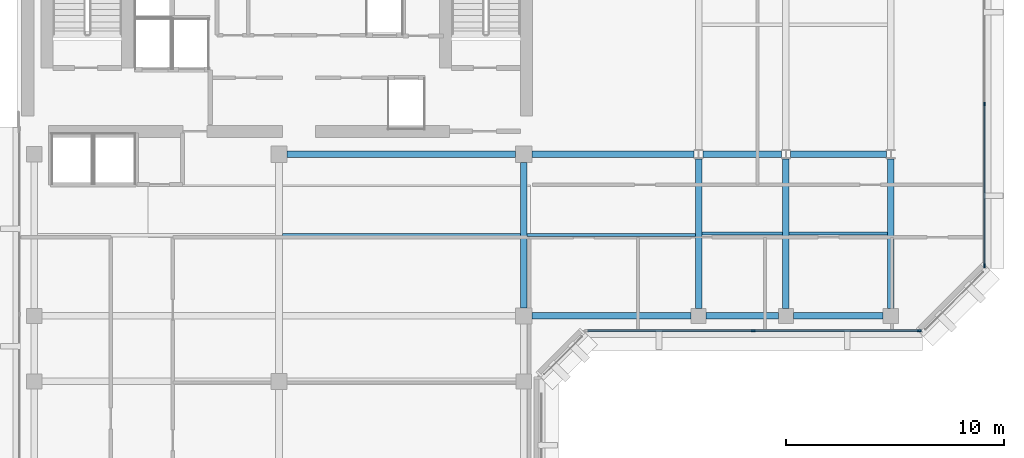
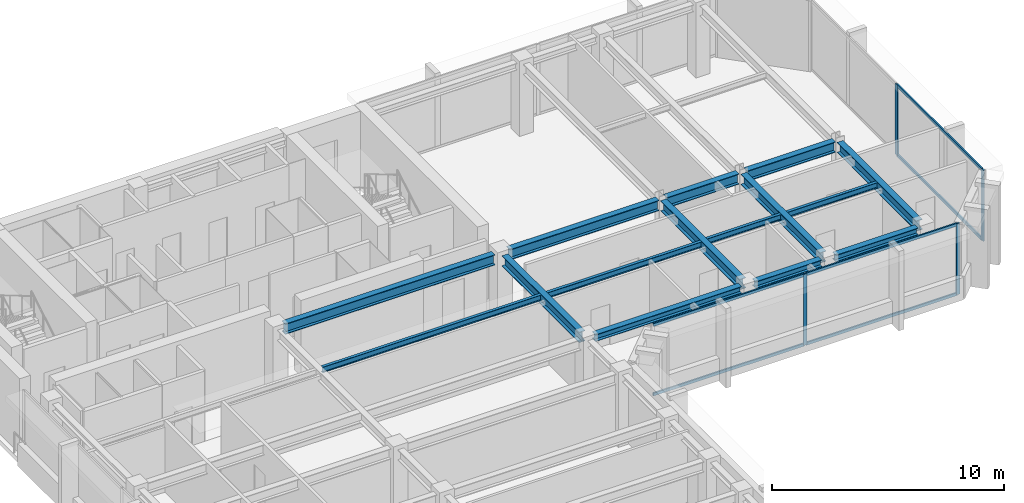
# One storey, part 3 of 11: 15 beams, 10 members, 2 elements without a shape of their own.
"""IFC4 building model written with IfcOpenShell, lengths in metres."""

from ifc_helpers import new_model, si_unit, direction, frame, origin, origin_2d, place, context, subcontext, project, spatial, rectangle, i_section, extrude, material, layer, layer_set, material_profile, profile_set, type_object, element, aggregate, save


model = new_model("IFC4")

# Units and contexts
model_context = context("Model", 3, precision=1e-05, world=origin(), true_north=direction((0.0, 1.0)))
body_context = subcontext(model_context, "Body", "Model", "MODEL_VIEW")
ifc_project = project(units=[si_unit("LENGTHUNIT", "METRE"), si_unit("AREAUNIT", "SQUARE_METRE"), si_unit("VOLUMEUNIT", "CUBIC_METRE"), si_unit("PLANEANGLEUNIT", "RADIAN"), si_unit("MASSUNIT", "GRAM", prefix="KILO")], contexts=[model_context])

# Site, building, storey
site_placement = place(None, origin())
site = spatial("IfcSite", under=ifc_project, at=site_placement, CompositionType="ELEMENT")
building_placement = place(site_placement, origin())
building = spatial("IfcBuilding", under=site, at=building_placement, Name="Kefirva Bronze Tower", CompositionType="ELEMENT")
storey_placement = place(building_placement, frame((0.0, 0.0, 288.090087890625)))
storey = spatial("IfcBuildingStorey", under=building, at=storey_placement, Name="L70", CompositionType="ELEMENT", Elevation=288.090087890625)

# Curtain wall, members
ifc_material_1 = material(Name="Bronze anodised aluminium", Category="aluminium")
ifc_layer = layer(ifc_material_1, 0.179931640625, Name="Bronze anodised aluminium")
ifc_layer_set = layer_set([ifc_layer], Name="Bronze anodised aluminium")
curtain_wall_type = type_object("IfcCurtainWallType", Name="Unitised Bronze Ribbon Curtain Wall Zone 4", PredefinedType="USERDEFINED", material=ifc_layer_set)
curtain_wall_1_placement = place(storey_placement, origin())
curtain_wall_1 = element("IfcCurtainWall", 1, at=curtain_wall_1_placement, inside=storey, type_object=curtain_wall_type, Name="L70 Curtain Wall 2", ObjectType="UNITISED CURTAIN WALL", PredefinedType="USERDEFINED")
ifc_material_profile_1 = material_profile(ifc_material_1, rectangle(XDim=0.074951171875, YDim=0.179931640625, at=origin_2d()), Name="ALU 75x180")
ifc_profile_set_1 = profile_set([ifc_material_profile_1], Name="Bronze anodised aluminium")
member_type_1 = type_object("IfcMemberType", Name="Bronze Mullion 75x180", PredefinedType="MULLION", material=ifc_profile_set_1)
member_1_placement = place(storey_placement, frame((33.699951171875, 25.1201171875, 0.0), z_axis=(0.0, 0.0, 1.0), x_axis=(0.0, 1.0, 0.0)))
member_1 = element("IfcMember", 2, at=member_1_placement, type_object=member_type_1, Name="CW-04 mullion 2", PredefinedType="MULLION", context=body_context, shape_type="SweptSolid", body=[
    extrude(rectangle(XDim=0.074951171875, YDim=0.179931640625, at=origin_2d()), origin(), (0.0, 0.0, 1.0), 3.739990234375),
])
member_2_placement = place(storey_placement, frame((41.3076171875, 25.1201171875, 0.0), z_axis=(0.0, 0.0, 1.0), x_axis=(0.0, 1.0, 0.0)))
member_2 = element("IfcMember", 3, at=member_2_placement, type_object=member_type_1, Name="CW-04 mullion 3", PredefinedType="MULLION", context=body_context, shape_type="SweptSolid", body=[
    extrude(rectangle(XDim=0.074951171875, YDim=0.179931640625, at=origin_2d()), origin(), (0.0, 0.0, 1.0), 3.739990234375),
])

curtain_wall_2_placement = place(storey_placement, origin())
curtain_wall_2 = element("IfcCurtainWall", 4, at=curtain_wall_2_placement, inside=storey, type_object=curtain_wall_type, Name="L70 Curtain Wall 3", ObjectType="UNITISED CURTAIN WALL", PredefinedType="USERDEFINED")
member_3_placement = place(storey_placement, frame((44.280029296875, 28.092529296875, 0.0), z_axis=(0.0, 0.0, 1.0), x_axis=(-1.0, 0.0, 0.0)))
member_3 = element("IfcMember", 5, at=member_3_placement, type_object=member_type_1, Name="CW-04 mullion 1", PredefinedType="MULLION", context=body_context, shape_type="SweptSolid", body=[
    extrude(rectangle(XDim=0.074951171875, YDim=0.179931640625, at=origin_2d()), origin(), (0.0, 0.0, 1.0), 3.739990234375),
])
member_4_placement = place(storey_placement, frame((44.280029296875, 35.5, 0.0), z_axis=(0.0, 0.0, 1.0), x_axis=(-1.0, 0.0, 0.0)))
member_4 = element("IfcMember", 6, at=member_4_placement, type_object=member_type_1, Name="CW-04 mullion 2", PredefinedType="MULLION", context=body_context, shape_type="SweptSolid", body=[
    extrude(rectangle(XDim=0.074951171875, YDim=0.179931640625, at=origin_2d()), origin(), (0.0, 0.0, 1.0), 3.739990234375),
])

# Member
ifc_material_profile_2 = material_profile(ifc_material_1, rectangle(XDim=0.074951171875, YDim=0.14990234375, at=origin_2d()), Name="ALU 75x150")
ifc_profile_set_2 = profile_set([ifc_material_profile_2], Name="Bronze anodised aluminium")
member_type_2 = type_object("IfcMemberType", Name="Bronze Transom 75x150", PredefinedType="USERDEFINED", material=ifc_profile_set_2)
member_5_placement = place(storey_placement, frame((26.1298828125, 25.1201171875, 0.037353515625), z_axis=(1.0, 0.0, 0.0), x_axis=(0.0, 1.0, 0.0)))
member_5 = element("IfcMember", 7, at=member_5_placement, type_object=member_type_2, Name="CW-04 transom 1.1", ObjectType="TRANSOM", PredefinedType="USERDEFINED", context=body_context, shape_type="SweptSolid", body=[
    extrude(rectangle(XDim=0.074951171875, YDim=0.14990234375, at=origin_2d()), origin(), (0.0, 0.0, 1.0), 7.53271484375),
])

member_6_placement = place(storey_placement, frame((26.1298828125, 25.1201171875, 3.702392578125), z_axis=(1.0, 0.0, 0.0), x_axis=(0.0, 1.0, 0.0)))
member_6 = element("IfcMember", 8, at=member_6_placement, type_object=member_type_2, Name="CW-04 transom 1.2", ObjectType="TRANSOM", PredefinedType="USERDEFINED", context=body_context, shape_type="SweptSolid", body=[
    extrude(rectangle(XDim=0.074951171875, YDim=0.14990234375, at=origin_2d()), origin(), (0.0, 0.0, 1.0), 7.53271484375),
])

member_7_placement = place(storey_placement, frame((33.737548828125, 25.1201171875, 0.037353515625), z_axis=(1.0, 0.0, 0.0), x_axis=(0.0, 1.0, 0.0)))
member_7 = element("IfcMember", 9, at=member_7_placement, type_object=member_type_2, Name="CW-04 transom 2.1", ObjectType="TRANSOM", PredefinedType="USERDEFINED", context=body_context, shape_type="SweptSolid", body=[
    extrude(rectangle(XDim=0.074951171875, YDim=0.14990234375, at=origin_2d()), origin(), (0.0, 0.0, 1.0), 7.532470703125),
])

member_8_placement = place(storey_placement, frame((33.737548828125, 25.1201171875, 3.702392578125), z_axis=(1.0, 0.0, 0.0), x_axis=(0.0, 1.0, 0.0)))
member_8 = element("IfcMember", 10, at=member_8_placement, type_object=member_type_2, Name="CW-04 transom 2.2", ObjectType="TRANSOM", PredefinedType="USERDEFINED", context=body_context, shape_type="SweptSolid", body=[
    extrude(rectangle(XDim=0.074951171875, YDim=0.14990234375, at=origin_2d()), origin(), (0.0, 0.0, 1.0), 7.532470703125),
])

aggregate(curtain_wall_1, [member_1, member_2, member_5, member_6, member_7, member_8])

member_9_placement = place(storey_placement, frame((44.280029296875, 28.1298828125, 0.037353515625), z_axis=(0.0, 1.0, 0.0), x_axis=(-1.0, 0.0, 0.0)))
member_9 = element("IfcMember", 11, at=member_9_placement, type_object=member_type_2, Name="CW-04 transom 1.1", ObjectType="TRANSOM", PredefinedType="USERDEFINED", context=body_context, shape_type="SweptSolid", body=[
    extrude(rectangle(XDim=0.074951171875, YDim=0.14990234375, at=origin_2d()), origin(), (0.0, 0.0, 1.0), 7.33251953125),
])

member_10_placement = place(storey_placement, frame((44.280029296875, 28.1298828125, 3.702392578125), z_axis=(0.0, 1.0, 0.0), x_axis=(-1.0, 0.0, 0.0)))
member_10 = element("IfcMember", 12, at=member_10_placement, type_object=member_type_2, Name="CW-04 transom 1.2", ObjectType="TRANSOM", PredefinedType="USERDEFINED", context=body_context, shape_type="SweptSolid", body=[
    extrude(rectangle(XDim=0.074951171875, YDim=0.14990234375, at=origin_2d()), origin(), (0.0, 0.0, 1.0), 7.33251953125),
])

aggregate(curtain_wall_2, [member_3, member_4, member_9, member_10])

# Beams
ifc_material_2 = material(Name="Steel S355", Category="steel")
ifc_material_profile_3 = material_profile(ifc_material_2, i_section(OverallWidth=0.14990234375, OverallDepth=0.300048828125, WebThickness=0.007080078125, FlangeThickness=0.0107421875, at=origin_2d()), Name="IPE 300")
ifc_profile_set_3 = profile_set([ifc_material_profile_3], Name="Steel S355")
beam_type_1 = type_object("IfcBeamType", Name="Steel Floor Joist IPE 300", PredefinedType="JOIST", material=ifc_profile_set_3)
beam_1_placement = place(storey_placement, frame((12.14990234375, 29.5, 3.58984375), z_axis=(1.0, 0.0, 0.0), x_axis=(0.0, 1.0, 0.0)))
element("IfcBeam", 13, at=beam_1_placement, inside=storey, type_object=beam_type_1, Name="L70 JST-L70-12-295", PredefinedType="JOIST", context=body_context, shape_type="SweptSolid", body=[
    extrude(i_section(OverallWidth=0.14990234375, OverallDepth=0.300048828125, WebThickness=0.007080078125, FlangeThickness=0.0107421875, at=origin_2d()), origin(), (0.0, 0.0, 1.0), 10.900146484375),
])
beam_2_placement = place(storey_placement, frame((23.35009765625, 29.5, 3.58984375), z_axis=(1.0, 0.0, 0.0), x_axis=(0.0, 1.0, 0.0)))
element("IfcBeam", 14, at=beam_2_placement, inside=storey, type_object=beam_type_1, Name="L70 JST-L70-23-295", PredefinedType="JOIST", context=body_context, shape_type="SweptSolid", body=[
    extrude(i_section(OverallWidth=0.14990234375, OverallDepth=0.300048828125, WebThickness=0.007080078125, FlangeThickness=0.0107421875, at=origin_2d()), origin(), (0.0, 0.0, 1.0), 7.699951171875),
])
beam_3_placement = place(storey_placement, frame((31.35009765625, 29.571044921875, 3.58984375), z_axis=(1.0, 0.0, 0.0), x_axis=(0.0, 1.0, 0.0)))
element("IfcBeam", 15, at=beam_3_placement, inside=storey, type_object=beam_type_1, Name="L70 JST-L70-31-295", PredefinedType="JOIST", context=body_context, shape_type="SweptSolid", body=[
    extrude(i_section(OverallWidth=0.14990234375, OverallDepth=0.300048828125, WebThickness=0.007080078125, FlangeThickness=0.0107421875, at=origin_2d()), origin(), (0.0, 0.0, 1.0), 3.699951171875),
])
beam_4_placement = place(storey_placement, frame((35.35009765625, 29.571044921875, 3.58984375), z_axis=(1.0, 0.0, 0.0), x_axis=(0.0, 1.0, 0.0)))
element("IfcBeam", 16, at=beam_4_placement, inside=storey, type_object=beam_type_1, Name="L70 JST-L70-35-295", PredefinedType="JOIST", context=body_context, shape_type="SweptSolid", body=[
    extrude(i_section(OverallWidth=0.14990234375, OverallDepth=0.300048828125, WebThickness=0.007080078125, FlangeThickness=0.0107421875, at=origin_2d()), origin(), (0.0, 0.0, 1.0), 4.5),
])
ifc_material_profile_4 = material_profile(ifc_material_2, i_section(OverallWidth=0.300048828125, OverallDepth=0.550048828125, WebThickness=0.014892578125, FlangeThickness=0.029052734375, at=origin_2d()), Name="HEB 550")
ifc_profile_set_4 = profile_set([ifc_material_profile_4], Name="Steel S355")
beam_type_2 = type_object("IfcBeamType", Name="Steel Girder HEB 550", PredefinedType="USERDEFINED", material=ifc_profile_set_4)
beam_5_placement = place(storey_placement, frame((12.3701171875, 33.199951171875, 3.46484375), z_axis=(1.0, 0.0, 0.0), x_axis=(0.0, 1.0, 0.0)))
element("IfcBeam", 17, at=beam_5_placement, inside=storey, type_object=beam_type_2, Name="L70 BM-L70-EW-12-332", ObjectType="GIRDER", PredefinedType="USERDEFINED", context=body_context, shape_type="SweptSolid", body=[
    extrude(i_section(OverallWidth=0.300048828125, OverallDepth=0.550048828125, WebThickness=0.014892578125, FlangeThickness=0.029052734375, at=origin_2d()), origin(), (0.0, 0.0, 1.0), 10.4599609375),
])
beam_6_placement = place(storey_placement, frame((23.570068359375, 33.199951171875, 3.46484375), z_axis=(1.0, 0.0, 0.0), x_axis=(0.0, 1.0, 0.0)))
element("IfcBeam", 18, at=beam_6_placement, inside=storey, type_object=beam_type_2, Name="L70 BM-L70-EW-23-332", ObjectType="GIRDER", PredefinedType="USERDEFINED", context=body_context, shape_type="SweptSolid", body=[
    extrude(i_section(OverallWidth=0.300048828125, OverallDepth=0.550048828125, WebThickness=0.014892578125, FlangeThickness=0.029052734375, at=origin_2d()), origin(), (0.0, 0.0, 1.0), 7.427001953125),
])
beam_7_placement = place(storey_placement, frame((31.403076171875, 33.199951171875, 3.46484375), z_axis=(1.0, 0.0, 0.0), x_axis=(0.0, 1.0, 0.0)))
element("IfcBeam", 19, at=beam_7_placement, inside=storey, type_object=beam_type_2, Name="L70 BM-L70-EW-31-332", ObjectType="GIRDER", PredefinedType="USERDEFINED", context=body_context, shape_type="SweptSolid", body=[
    extrude(i_section(OverallWidth=0.300048828125, OverallDepth=0.550048828125, WebThickness=0.014892578125, FlangeThickness=0.029052734375, at=origin_2d()), origin(), (0.0, 0.0, 1.0), 3.593994140625),
])
beam_8_placement = place(storey_placement, frame((35.403076171875, 33.199951171875, 3.46484375), z_axis=(1.0, 0.0, 0.0), x_axis=(0.0, 1.0, 0.0)))
element("IfcBeam", 20, at=beam_8_placement, inside=storey, type_object=beam_type_2, Name="L70 BM-L70-EW-35-332", ObjectType="GIRDER", PredefinedType="USERDEFINED", context=body_context, shape_type="SweptSolid", body=[
    extrude(i_section(OverallWidth=0.300048828125, OverallDepth=0.550048828125, WebThickness=0.014892578125, FlangeThickness=0.029052734375, at=origin_2d()), origin(), (0.0, 0.0, 1.0), 4.39404296875),
])
beam_9_placement = place(storey_placement, frame((23.199951171875, 26.169921875, 3.46484375), z_axis=(0.0, 1.0, 0.0), x_axis=(-1.0, 0.0, 0.0)))
element("IfcBeam", 21, at=beam_9_placement, inside=storey, type_object=beam_type_2, Name="L70 BM-L70-NS-232-25", ObjectType="GIRDER", PredefinedType="USERDEFINED", context=body_context, shape_type="SweptSolid", body=[
    extrude(i_section(OverallWidth=0.300048828125, OverallDepth=0.550048828125, WebThickness=0.014892578125, FlangeThickness=0.029052734375, at=origin_2d()), origin(), (0.0, 0.0, 1.0), 6.66015625),
])
for number, where, z_axis, x_axis, name in (
    (22, (31.199951171875, 26.14990234375, 3.46484375), (0.0, 1.0, 0.0), (-1.0, 0.0, 0.0), "L70 BM-L70-NS-312-25"),
    (23, (35.199951171875, 26.14990234375, 3.46484375), (0.0, 1.0, 0.0), (-1.0, 0.0, 0.0), "L70 BM-L70-NS-352-25"),
    (24, (40.0, 26.14990234375, 3.46484375), (0.0, 1.0, 0.0), (-1.0, 0.0, 0.0), "L70 BM-L70-NS-400-25"),
):
    element("IfcBeam", number, at=place(storey_placement, frame(where, z_axis=z_axis, x_axis=x_axis)), inside=storey, type_object=beam_type_2, Name=name, ObjectType="GIRDER", PredefinedType="USERDEFINED", context=body_context, shape_type="SweptSolid", body=[
        extrude(i_section(OverallWidth=0.300048828125, OverallDepth=0.550048828125, WebThickness=0.014892578125, FlangeThickness=0.029052734375, at=origin_2d()), origin(), (0.0, 0.0, 1.0), 6.842041015625),
    ])
ifc_material_profile_5 = material_profile(ifc_material_2, i_section(OverallWidth=0.300048828125, OverallDepth=0.360107421875, WebThickness=0.012451171875, FlangeThickness=0.0224609375, at=origin_2d()), Name="HEB 360")
ifc_profile_set_5 = profile_set([ifc_material_profile_5], Name="Steel S355")
beam_type_3 = type_object("IfcBeamType", Name="Steel Spandrel HEB 360 Ext", PredefinedType="SPANDREL", material=ifc_profile_set_5)
beam_10_placement = place(storey_placement, frame((23.570068359375, 25.800048828125, 3.559814453125), z_axis=(1.0, 0.0, 0.0), x_axis=(0.0, 1.0, 0.0)))
element("IfcBeam", 25, at=beam_10_placement, inside=storey, type_object=beam_type_3, Name="L70 BM-L70-EW-23-258", PredefinedType="SPANDREL", context=body_context, shape_type="SweptSolid", body=[
    extrude(i_section(OverallWidth=0.300048828125, OverallDepth=0.360107421875, WebThickness=0.012451171875, FlangeThickness=0.0224609375, at=origin_2d()), origin(), (0.0, 0.0, 1.0), 7.280029296875),
])
beam_11_placement = place(storey_placement, frame((31.550048828125, 25.800048828125, 3.559814453125), z_axis=(1.0, 0.0, 0.0), x_axis=(0.0, 1.0, 0.0)))
element("IfcBeam", 26, at=beam_11_placement, inside=storey, type_object=beam_type_3, Name="L70 BM-L70-EW-31-258", PredefinedType="SPANDREL", context=body_context, shape_type="SweptSolid", body=[
    extrude(i_section(OverallWidth=0.300048828125, OverallDepth=0.360107421875, WebThickness=0.012451171875, FlangeThickness=0.0224609375, at=origin_2d()), origin(), (0.0, 0.0, 1.0), 3.300048828125),
])
beam_12_placement = place(storey_placement, frame((35.550048828125, 25.800048828125, 3.559814453125), z_axis=(1.0, 0.0, 0.0), x_axis=(0.0, 1.0, 0.0)))
element("IfcBeam", 27, at=beam_12_placement, inside=storey, type_object=beam_type_3, Name="L70 BM-L70-EW-35-258", PredefinedType="SPANDREL", context=body_context, shape_type="SweptSolid", body=[
    extrude(i_section(OverallWidth=0.300048828125, OverallDepth=0.360107421875, WebThickness=0.012451171875, FlangeThickness=0.0224609375, at=origin_2d()), origin(), (0.0, 0.0, 1.0), 4.099853515625),
])

save(model, "model.ifc")
